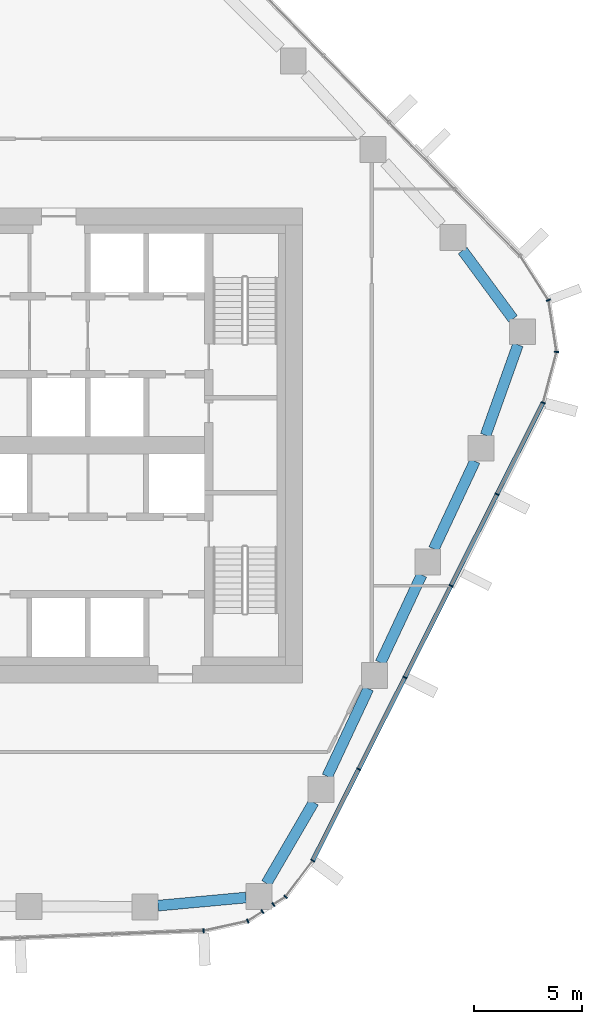
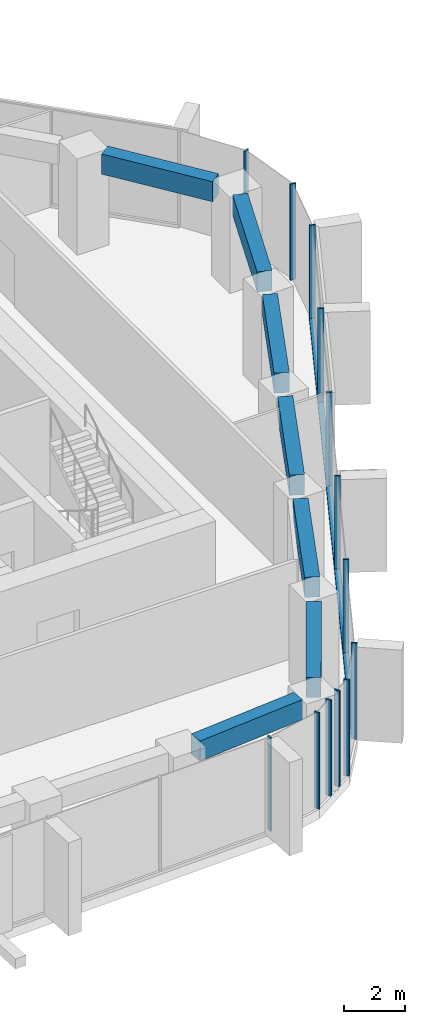
# One storey, part 4 of 18: 14 members, 7 beams, 5 elements without a shape of their own.
"""IFC4 building model written with IfcOpenShell, lengths in metres."""

from ifc_helpers import new_model, si_unit, direction, frame, origin, origin_2d, place, context, subcontext, project, spatial, rectangle, extrude, material, layer, layer_set, material_profile, profile_set, type_object, element, aggregate, save


model = new_model("IFC4")

# Units and contexts
model_context = context("Model", 3, precision=1e-05, world=origin(), true_north=direction((0.0, 1.0)))
body_context = subcontext(model_context, "Body", "Model", "MODEL_VIEW")
ifc_project = project(units=[si_unit("LENGTHUNIT", "METRE"), si_unit("AREAUNIT", "SQUARE_METRE"), si_unit("VOLUMEUNIT", "CUBIC_METRE"), si_unit("PLANEANGLEUNIT", "RADIAN"), si_unit("MASSUNIT", "GRAM", prefix="KILO")], contexts=[model_context])

# Site, building, storey
site_placement = place(None, origin())
site = spatial("IfcSite", under=ifc_project, at=site_placement, CompositionType="ELEMENT")
building_placement = place(site_placement, origin())
building = spatial("IfcBuilding", under=site, at=building_placement, Name="Dongbaek Canopy Tower", CompositionType="ELEMENT")
storey_placement = place(building_placement, frame((0.0, 0.0, 203.0)))
storey = spatial("IfcBuildingStorey", under=building, at=storey_placement, Name="L42", CompositionType="ELEMENT", Elevation=203.0)

# Curtain wall, members
ifc_material_1 = material(Name="Aluminium 6063-T6 pale anodised", Category="aluminium")
ifc_layer = layer(ifc_material_1, 0.199951171875)
ifc_layer_set = layer_set([ifc_layer], Name="CW-1 unitised tower curtain wall")
curtain_wall_type = type_object("IfcCurtainWallType", Name="CW-1 unitised tower curtain wall", PredefinedType="NOTDEFINED", material=ifc_layer_set)
curtain_wall_1_placement = place(storey_placement, origin())
curtain_wall_1 = element("IfcCurtainWall", 1, at=curtain_wall_1_placement, inside=storey, type_object=curtain_wall_type, Name="CW-1 curtain wall K0.1", PredefinedType="NOTDEFINED")
ifc_material_2 = material(Name="Aluminium 6063-T6 pale anodised", Category="aluminium")
ifc_material_profile_1 = material_profile(ifc_material_2, rectangle(XDim=0.199951171875, YDim=0.06005859375, at=origin_2d()), Name="CW-1 mullion 60 x 200")
ifc_profile_set_1 = profile_set([ifc_material_profile_1], Name="Aluminium 6063-T6 pale anodised")
member_type_1 = type_object("IfcMemberType", Name="CW-1 mullion 60 x 200", PredefinedType="MULLION", material=ifc_profile_set_1)
member_1_placement = place(storey_placement, frame((25.131591796875, 1.972900390625, 0.0), z_axis=(0.0, 0.0, 1.0), x_axis=(0.966599210412, -0.256292735815, 0.0)))
member_1 = element("IfcMember", 2, at=member_1_placement, type_object=member_type_1, Name="CW-1 mullion K0.1.1", PredefinedType="MULLION", context=body_context, shape_type="SweptSolid", body=[
    extrude(rectangle(XDim=0.199951171875, YDim=0.06005859375, at=origin_2d()), origin(), (0.0, 0.0, 1.0), 3.820068359375),
])
member_2_placement = place(storey_placement, frame((25.755615234375, 4.32666015625, 0.0), z_axis=(0.0, 0.0, 1.0), x_axis=(0.99863969186, -0.052141785952, 0.0)))
member_2 = element("IfcMember", 3, at=member_2_placement, type_object=member_type_1, Name="CW-1 mullion K0.1.2", PredefinedType="MULLION", context=body_context, shape_type="SweptSolid", body=[
    extrude(rectangle(XDim=0.199951171875, YDim=0.06005859375, at=origin_2d()), origin(), (0.0, 0.0, 1.0), 3.820068359375),
])
member_3_placement = place(storey_placement, frame((25.3818359375, 6.72216796875, 0.0), z_axis=(0.0, 0.0, 1.0), x_axis=(0.93523522403, 0.354026942101, 0.0)))
member_3 = element("IfcMember", 4, at=member_3_placement, type_object=member_type_1, Name="CW-1 mullion K0.1.3", PredefinedType="MULLION", context=body_context, shape_type="SweptSolid", body=[
    extrude(rectangle(XDim=0.199951171875, YDim=0.06005859375, at=origin_2d()), origin(), (0.0, 0.0, 1.0), 3.820068359375),
])
aggregate(curtain_wall_1, [member_1, member_2, member_3])

# Curtain wall, member
curtain_wall_2_placement = place(storey_placement, origin())
curtain_wall_2 = element("IfcCurtainWall", 5, at=curtain_wall_2_placement, inside=storey, type_object=curtain_wall_type, Name="CW-1 curtain wall F4.1", PredefinedType="NOTDEFINED")
member_4_placement = place(storey_placement, frame((9.410400390625, -22.482421875, 0.1201171875), z_axis=(0.0, 0.0, 1.0), x_axis=(0.039275850271, -0.999228406114, 0.0)))
member_4 = element("IfcMember", 6, at=member_4_placement, type_object=member_type_1, Name="CW-1 mullion F4.1.5", PredefinedType="MULLION", context=body_context, shape_type="SweptSolid", body=[
    extrude(rectangle(XDim=0.199951171875, YDim=0.06005859375, at=origin_2d()), origin(), (0.0, 0.0, 1.0), 3.699951171875),
])
aggregate(curtain_wall_2, [member_4])

# Curtain wall, members
curtain_wall_3_placement = place(storey_placement, origin())
curtain_wall_3 = element("IfcCurtainWall", 7, at=curtain_wall_3_placement, inside=storey, type_object=curtain_wall_type, Name="CW-1 curtain wall K5.1a", PredefinedType="NOTDEFINED")
member_5_placement = place(storey_placement, frame((11.4541015625, -22.0322265625, 0.0), z_axis=(0.0, 0.0, 1.0), x_axis=(0.384243222296, -0.923231902677, 0.0)))
member_5 = element("IfcMember", 8, at=member_5_placement, type_object=member_type_1, Name="CW-1 mullion K5.1a.2", PredefinedType="MULLION", context=body_context, shape_type="SweptSolid", body=[
    extrude(rectangle(XDim=0.199951171875, YDim=0.06005859375, at=origin_2d()), origin(), (0.0, 0.0, 1.0), 3.820068359375),
])
member_6_placement = place(storey_placement, frame((12.13427734375, -21.59423828125, 0.0), z_axis=(0.0, 0.0, 1.0), x_axis=(0.541263470039, -0.840853052561, 0.0)))
member_6 = element("IfcMember", 9, at=member_6_placement, type_object=member_type_1, Name="CW-1 mullion K5.1a.3", PredefinedType="MULLION", context=body_context, shape_type="SweptSolid", body=[
    extrude(rectangle(XDim=0.199951171875, YDim=0.06005859375, at=origin_2d()), origin(), (0.0, 0.0, 1.0), 3.820068359375),
])
aggregate(curtain_wall_3, [member_5, member_6])

curtain_wall_4_placement = place(storey_placement, origin())
curtain_wall_4 = element("IfcCurtainWall", 10, at=curtain_wall_4_placement, inside=storey, type_object=curtain_wall_type, Name="CW-1 curtain wall K5.1b", PredefinedType="NOTDEFINED")
member_7_placement = place(storey_placement, frame((12.642333984375, -21.267333984375, 0.0), z_axis=(0.0, 0.0, 1.0), x_axis=(0.541263470039, -0.840853052561, 0.0)))
member_7 = element("IfcMember", 11, at=member_7_placement, type_object=member_type_1, Name="CW-1 mullion K5.1b.1", PredefinedType="MULLION", context=body_context, shape_type="SweptSolid", body=[
    extrude(rectangle(XDim=0.199951171875, YDim=0.06005859375, at=origin_2d()), origin(), (0.0, 0.0, 1.0), 3.820068359375),
])
member_8_placement = place(storey_placement, frame((13.2060546875, -20.904541015625, 0.0), z_axis=(0.0, 0.0, 1.0), x_axis=(0.681265510321, -0.732036409236, 0.0)))
member_8 = element("IfcMember", 12, at=member_8_placement, type_object=member_type_1, Name="CW-1 mullion K5.1b.2", PredefinedType="MULLION", context=body_context, shape_type="SweptSolid", body=[
    extrude(rectangle(XDim=0.199951171875, YDim=0.06005859375, at=origin_2d()), origin(), (0.0, 0.0, 1.0), 3.820068359375),
])
member_9_placement = place(storey_placement, frame((14.4619140625, -19.230712890625, 0.0), z_axis=(0.0, 0.0, 1.0), x_axis=(0.799847450352, -0.60020334568, 0.0)))
member_9 = element("IfcMember", 13, at=member_9_placement, type_object=member_type_1, Name="CW-1 mullion K5.1b.3", PredefinedType="MULLION", context=body_context, shape_type="SweptSolid", body=[
    extrude(rectangle(XDim=0.199951171875, YDim=0.06005859375, at=origin_2d()), origin(), (0.0, 0.0, 1.0), 3.820068359375),
])
aggregate(curtain_wall_4, [member_7, member_8, member_9])

curtain_wall_5_placement = place(storey_placement, origin())
curtain_wall_5 = element("IfcCurtainWall", 14, at=curtain_wall_5_placement, inside=storey, type_object=curtain_wall_type, Name="CW-1 curtain wall F5.1", PredefinedType="NOTDEFINED")
member_10_placement = place(storey_placement, frame((16.59375, -14.994384765625, 0.1201171875), z_axis=(0.0, 0.0, 1.0), x_axis=(0.893280880274, -0.449498908716, 0.0)))
member_10 = element("IfcMember", 15, at=member_10_placement, type_object=member_type_1, Name="CW-1 mullion F5.1.2", PredefinedType="MULLION", context=body_context, shape_type="SweptSolid", body=[
    extrude(rectangle(XDim=0.199951171875, YDim=0.06005859375, at=origin_2d()), origin(), (0.0, 0.0, 1.0), 3.699951171875),
])
member_11_placement = place(storey_placement, frame((18.729248046875, -10.750244140625, 0.1201171875), z_axis=(0.0, 0.0, 1.0), x_axis=(0.893280880274, -0.449498908716, 0.0)))
member_11 = element("IfcMember", 16, at=member_11_placement, type_object=member_type_1, Name="CW-1 mullion F5.1.3", PredefinedType="MULLION", context=body_context, shape_type="SweptSolid", body=[
    extrude(rectangle(XDim=0.199951171875, YDim=0.06005859375, at=origin_2d()), origin(), (0.0, 0.0, 1.0), 3.699951171875),
])
member_12_placement = place(storey_placement, frame((20.864990234375, -6.506103515625, 0.1201171875), z_axis=(0.0, 0.0, 1.0), x_axis=(0.893280880274, -0.449498908716, 0.0)))
member_12 = element("IfcMember", 17, at=member_12_placement, type_object=member_type_1, Name="CW-1 mullion F5.1.4", PredefinedType="MULLION", context=body_context, shape_type="SweptSolid", body=[
    extrude(rectangle(XDim=0.199951171875, YDim=0.06005859375, at=origin_2d()), origin(), (0.0, 0.0, 1.0), 3.699951171875),
])
member_13_placement = place(storey_placement, frame((23.000732421875, -2.261962890625, 0.1201171875), z_axis=(0.0, 0.0, 1.0), x_axis=(0.893280880274, -0.449498908716, 0.0)))
member_13 = element("IfcMember", 18, at=member_13_placement, type_object=member_type_1, Name="CW-1 mullion F5.1.5", PredefinedType="MULLION", context=body_context, shape_type="SweptSolid", body=[
    extrude(rectangle(XDim=0.199951171875, YDim=0.06005859375, at=origin_2d()), origin(), (0.0, 0.0, 1.0), 3.699951171875),
])
ifc_material_3 = material(Name="Aluminium 6063-T6 pale anodised", Category="aluminium")
ifc_material_profile_2 = material_profile(ifc_material_3, rectangle(XDim=0.199951171875, YDim=0.1201171875, at=origin_2d()), Name="CW-1 transom 120 x 200")
ifc_profile_set_2 = profile_set([ifc_material_profile_2], Name="Aluminium 6063-T6 pale anodised")
member_type_2 = type_object("IfcMemberType", Name="CW-1 transom 120 x 200", PredefinedType="USERDEFINED", material=ifc_profile_set_2)
member_14_placement = place(storey_placement, frame((14.4619140625, -19.230712890625, 0.06005859375), z_axis=(0.449499589419, 0.893280537744, 0.0), x_axis=(-0.893280537744, 0.449499589419, 0.0)))
member_14 = element("IfcMember", 19, at=member_14_placement, type_object=member_type_2, Name="CW-1 transom F5.1.1", ObjectType="TRANSOM", PredefinedType="USERDEFINED", context=body_context, shape_type="SweptSolid", body=[
    extrude(rectangle(XDim=0.199951171875, YDim=0.1201171875, at=origin_2d()), origin(), (0.0, 0.0, 1.0), 23.73681640625),
])
aggregate(curtain_wall_5, [member_10, member_11, member_12, member_13, member_14])

# Beams
ifc_material_4 = material(Name="Concrete C70", Category="concrete")
ifc_material_profile_3 = material_profile(ifc_material_4, rectangle(XDim=0.5, YDim=0.800048828125, at=origin_2d()), Name="RC EDGE BEAM 500x800 C70")
ifc_profile_set_3 = profile_set([ifc_material_profile_3], Name="Concrete C70")
beam_type = type_object("IfcBeamType", Name="RC EDGE BEAM 500x800 C70", PredefinedType="BEAM", material=ifc_profile_set_3)
beam_1_placement = place(storey_placement, frame((11.3720703125, -20.9404296875, 3.419921875), z_axis=(-0.995763065099, -0.091956066598, 0.0), x_axis=(0.091956066598, -0.995763065099, 0.0)))
element("IfcBeam", 20, at=beam_1_placement, inside=storey, type_object=beam_type, Name="EDGEBEAM:L42:00", PredefinedType="BEAM", context=body_context, shape_type="SweptSolid", body=[
    extrude(rectangle(XDim=0.5, YDim=0.800048828125, at=origin_2d()), origin(), (0.0, 0.0, 1.0), 4.09130859375),
])
beam_2_placement = place(storey_placement, frame((21.402587890625, 9.02099609375, 3.419921875), z_axis=(0.593743199573, -0.804654592332, 0.0), x_axis=(0.804654592332, 0.593743199573, 0.0)))
element("IfcBeam", 21, at=beam_2_placement, inside=storey, type_object=beam_type, Name="EDGEBEAM:L42:20", PredefinedType="BEAM", context=body_context, shape_type="SweptSolid", body=[
    extrude(rectangle(XDim=0.5, YDim=0.800048828125, at=origin_2d()), origin(), (0.0, 0.0, 1.0), 3.93212890625),
])
beam_3_placement = place(storey_placement, frame((23.965576171875, 4.656982421875, 3.419921875), z_axis=(-0.336398951073, -0.941719568511, 0.0), x_axis=(0.941719568511, -0.336398951073, 0.0)))
element("IfcBeam", 22, at=beam_3_placement, inside=storey, type_object=beam_type, Name="EDGEBEAM:L42:21", PredefinedType="BEAM", context=body_context, shape_type="SweptSolid", body=[
    extrude(rectangle(XDim=0.5, YDim=0.800048828125, at=origin_2d()), origin(), (0.0, 0.0, 1.0), 4.4501953125),
])
beam_4_placement = place(storey_placement, frame((21.972900390625, -0.73388671875, 3.419921875), z_axis=(-0.424114752544, -0.905608456605, 0.0), x_axis=(0.905608456605, -0.424114752544, 0.0)))
element("IfcBeam", 23, at=beam_4_placement, inside=storey, type_object=beam_type, Name="EDGEBEAM:L42:22", PredefinedType="BEAM", context=body_context, shape_type="SweptSolid", body=[
    extrude(rectangle(XDim=0.5, YDim=0.800048828125, at=origin_2d()), origin(), (0.0, 0.0, 1.0), 4.489013671875),
])
beam_5_placement = place(storey_placement, frame((19.507080078125, -5.9990234375, 3.419921875), z_axis=(-0.424057758342, -0.905635145956, 0.0), x_axis=(0.905635145956, -0.424057758342, 0.0)))
element("IfcBeam", 24, at=beam_5_placement, inside=storey, type_object=beam_type, Name="EDGEBEAM:L42:23", PredefinedType="BEAM", context=body_context, shape_type="SweptSolid", body=[
    extrude(rectangle(XDim=0.5, YDim=0.800048828125, at=origin_2d()), origin(), (0.0, 0.0, 1.0), 4.49072265625),
])
beam_6_placement = place(storey_placement, frame((17.041015625, -11.26611328125, 3.419921875), z_axis=(-0.424275059541, -0.905533364295, 0.0), x_axis=(0.905533364295, -0.424275059541, 0.0)))
element("IfcBeam", 25, at=beam_6_placement, inside=storey, type_object=beam_type, Name="EDGEBEAM:L42:24", PredefinedType="BEAM", context=body_context, shape_type="SweptSolid", body=[
    extrude(rectangle(XDim=0.5, YDim=0.800048828125, at=origin_2d()), origin(), (0.0, 0.0, 1.0), 4.489990234375),
])
beam_7_placement = place(storey_placement, frame((14.505859375, -16.531982421875, 3.419921875), z_axis=(-0.503073799677, -0.864243456486, 0.0), x_axis=(0.864243456486, -0.503073799677, 0.0)))
element("IfcBeam", 26, at=beam_7_placement, inside=storey, type_object=beam_type, Name="EDGEBEAM:L42:25", PredefinedType="BEAM", context=body_context, shape_type="SweptSolid", body=[
    extrude(rectangle(XDim=0.5, YDim=0.800048828125, at=origin_2d()), origin(), (0.0, 0.0, 1.0), 4.342529296875),
])

save(model, "model.ifc")
